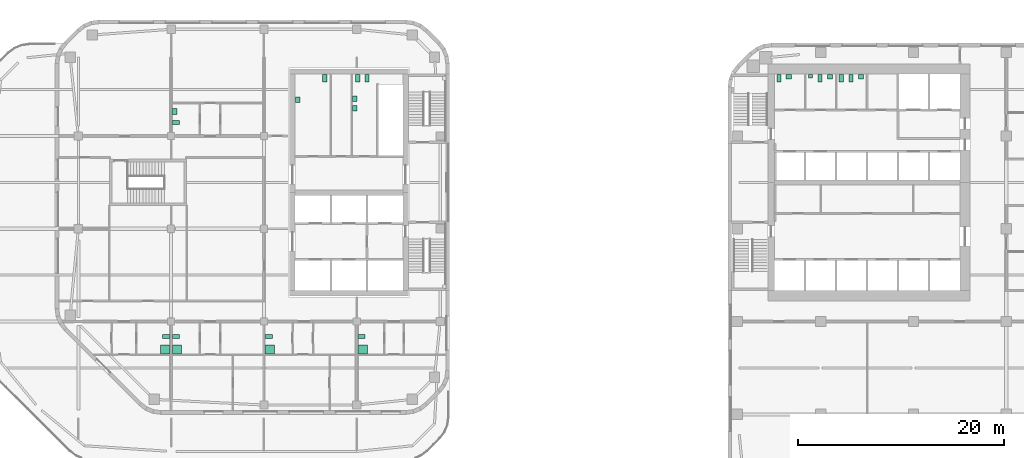
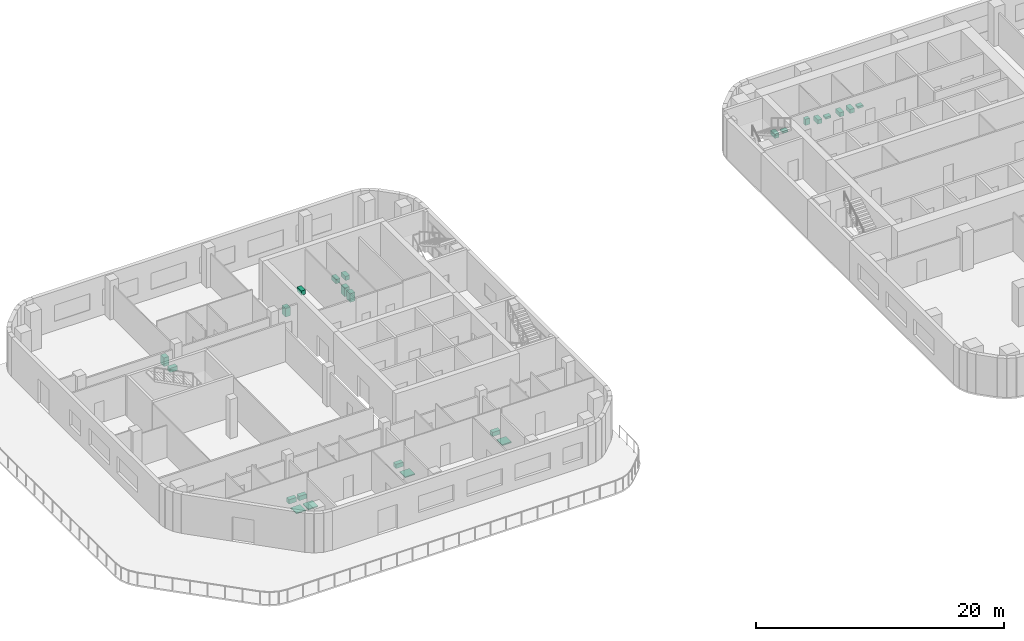
# One storey, part 15 of 15: 24 sanitary terminals.
"""IFC4 building model written with IfcOpenShell, lengths in metres."""

from ifc_helpers import new_model, si_unit, direction, frame, origin, origin_2d, place, context, subcontext, project, spatial, rectangle, extrude, material, type_object, element, save


model = new_model("IFC4")

# Units and contexts
model_context = context("Model", 3, precision=1e-05, world=origin(), true_north=direction((0.0, 1.0)))
body_context = subcontext(model_context, "Body", "Model", "MODEL_VIEW")
ifc_project = project(units=[si_unit("LENGTHUNIT", "METRE"), si_unit("AREAUNIT", "SQUARE_METRE"), si_unit("VOLUMEUNIT", "CUBIC_METRE"), si_unit("PLANEANGLEUNIT", "RADIAN"), si_unit("MASSUNIT", "GRAM", prefix="KILO")], contexts=[model_context])

# Site, building, storey
site_placement = place(None, origin())
site = spatial("IfcSite", under=ifc_project, at=site_placement, CompositionType="ELEMENT")
building_placement = place(site_placement, origin())
building = spatial("IfcBuilding", under=site, at=building_placement, Name="Cinnabar Reach Civic Tower", CompositionType="ELEMENT")
storey_placement = place(building_placement, frame((0.0, 0.0, 51.0)))
storey = spatial("IfcBuildingStorey", under=building, at=storey_placement, Name="L11", CompositionType="ELEMENT", Elevation=51.0)

# Sanitary terminals
ifc_material_1 = material(Name="Vitreous china")
sanitary_terminal_type_1 = type_object("IfcSanitaryTerminalType", Name="T1 WC pan", PredefinedType="TOILETPAN", material=ifc_material_1)
for number, where, z_axis, x_axis, name in (
    (1, (4.95, 41.6, 0.0), (0.0, 0.0, 1.0), (1.0, 0.0, 0.0), "T1 WC pan 1107-1"),
    (2, (8.95, 41.6, 0.0), (0.0, 0.0, 1.0), (1.0, 0.0, 0.0), "T1 WC pan 1108-2"),
    (3, (11.0, 41.6, 0.0), (0.0, 0.0, 1.0), (1.0, 0.0, 0.0), "T1 WC pan 1109-1"),
    (4, (11.95, 41.6, 0.0), (0.0, 0.0, 1.0), (1.0, 0.0, 0.0), "T1 WC pan 1109-2"),
):
    element("IfcSanitaryTerminal", number, at=place(storey_placement, frame(where, z_axis=z_axis, x_axis=x_axis)), inside=storey, type_object=sanitary_terminal_type_1, Name=name, PredefinedType="TOILETPAN", context=body_context, shape_type="SweptSolid", body=[
        extrude(rectangle(XDim=0.4, YDim=0.7, at=origin_2d()), origin(), (0.0, 0.0, 1.0), 0.4),
    ])
sanitary_terminal_type_2 = type_object("IfcSanitaryTerminalType", Name="T1 urinal", PredefinedType="URINAL", material=ifc_material_1)
sanitary_terminal_placement = place(storey_placement, frame((8.0, 41.775, 0.0), z_axis=(0.0, 0.0, 1.0), x_axis=(1.0, 0.0, 0.0)))
element("IfcSanitaryTerminal", 5, at=sanitary_terminal_placement, inside=storey, type_object=sanitary_terminal_type_2, Name="T1 urinal 1108-1", PredefinedType="URINAL", context=body_context, shape_type="SweptSolid", body=[
    extrude(rectangle(XDim=0.4, YDim=0.35, at=origin_2d()), origin(), (0.0, 0.0, 1.0), 0.6),
])
sanitary_terminal_type_3 = type_object("IfcSanitaryTerminalType", Name="T1 wash basin", PredefinedType="WASHHANDBASIN", material=ifc_material_1)
for number, where, z_axis, x_axis, name in (
    (6, (5.9, 41.74, 0.0), (0.0, 0.0, 1.0), (1.0, 0.0, 0.0), "T1 wash basin 1107-2"),
    (7, (9.9, 41.74, 0.0), (0.0, 0.0, 1.0), (1.0, 0.0, 0.0), "T1 wash basin 1108-3"),
    (8, (12.9, 41.74, 0.0), (0.0, 0.0, 1.0), (1.0, 0.0, 0.0), "T1 wash basin 1109-3"),
):
    element("IfcSanitaryTerminal", number, at=place(storey_placement, frame(where, z_axis=z_axis, x_axis=x_axis)), inside=storey, type_object=sanitary_terminal_type_3, Name=name, PredefinedType="WASHHANDBASIN", context=body_context, shape_type="SweptSolid", body=[
        extrude(rectangle(XDim=0.5, YDim=0.42, at=origin_2d()), origin(), (0.0, 0.0, 1.0), 0.2),
    ])
ifc_material_2 = material(Name="Acrylic tray")
sanitary_terminal_type_4 = type_object("IfcSanitaryTerminalType", Name="T2 Shower tray", PredefinedType="SHOWER", material=ifc_material_2)
for number, where, z_axis, x_axis, name in (
    (9, (-54.575, 15.3, 0.0), (0.0, 0.0, 1.0), (1.0, 0.0, 0.0), "Shower tray"),
    (10, (-53.425, 15.3, 0.0), (0.0, 0.0, 1.0), (1.0, 0.0, 0.0), "Shower tray"),
    (11, (-44.425, 15.3, 0.0), (0.0, 0.0, 1.0), (1.0, 0.0, 0.0), "Shower tray"),
    (12, (-35.425, 15.3, 0.0), (0.0, 0.0, 1.0), (1.0, 0.0, 0.0), "Shower tray"),
):
    element("IfcSanitaryTerminal", number, at=place(storey_placement, frame(where, z_axis=z_axis, x_axis=x_axis)), inside=storey, type_object=sanitary_terminal_type_4, Name=name, PredefinedType="SHOWER", context=body_context, shape_type="SweptSolid", body=[
        extrude(rectangle(XDim=0.9, YDim=0.9, at=origin_2d()), origin(), (0.0, 0.0, 1.0), 0.1),
    ])
sanitary_terminal_type_5 = type_object("IfcSanitaryTerminalType", Name="T2 WC pan", PredefinedType="TOILETPAN", material=ifc_material_1)
for number, where, z_axis, x_axis, name in (
    (13, (-39.1, 41.6, 0.0), (0.0, 0.0, 1.0), (1.0, 0.0, 0.0), "WC pan"),
    (14, (-35.9, 41.6, 0.0), (0.0, 0.0, 1.0), (1.0, 0.0, 0.0), "WC pan"),
    (15, (-35.0, 41.6, 0.0), (0.0, 0.0, 1.0), (1.0, 0.0, 0.0), "WC pan"),
):
    element("IfcSanitaryTerminal", number, at=place(storey_placement, frame(where, z_axis=z_axis, x_axis=x_axis)), inside=storey, type_object=sanitary_terminal_type_5, Name=name, PredefinedType="TOILETPAN", context=body_context, shape_type="SweptSolid", body=[
        extrude(rectangle(XDim=0.4, YDim=0.7, at=origin_2d()), origin(), (0.0, 0.0, 1.0), 0.42),
    ])
for number, where, z_axis, x_axis, name in (
    (16, (-54.475, 16.55, 0.0), (0.0, 0.0, 1.0), (1.0, 0.0, 0.0), "WC pan"),
    (17, (-53.525, 16.55, 0.0), (0.0, 0.0, 1.0), (1.0, 0.0, 0.0), "WC pan"),
    (18, (-44.525, 16.55, 0.0), (0.0, 0.0, 1.0), (1.0, 0.0, 0.0), "WC pan"),
    (19, (-35.525, 16.55, 0.0), (0.0, 0.0, 1.0), (1.0, 0.0, 0.0), "WC pan"),
    (20, (-53.55, 37.325, 0.0), (0.0, 0.0, 1.0), (1.0, 0.0, 0.0), "WC pan"),
):
    element("IfcSanitaryTerminal", number, at=place(storey_placement, frame(where, z_axis=z_axis, x_axis=x_axis)), inside=storey, type_object=sanitary_terminal_type_5, Name=name, PredefinedType="TOILETPAN", context=body_context, shape_type="SweptSolid", body=[
        extrude(rectangle(XDim=0.7, YDim=0.4, at=origin_2d()), origin(), (0.0, 0.0, 1.0), 0.42),
    ])
sanitary_terminal_type_6 = type_object("IfcSanitaryTerminalType", Name="T2 Wash basin", PredefinedType="WASHHANDBASIN", material=ifc_material_1)
for number, where, z_axis, x_axis, name in (
    (21, (-41.725, 39.5, 0.0), (0.0, 0.0, 1.0), (1.0, 0.0, 0.0), "Wash basin"),
    (22, (-36.175, 39.6, 0.0), (0.0, 0.0, 1.0), (1.0, 0.0, 0.0), "Wash basin"),
    (23, (-36.175, 38.7, 0.0), (0.0, 0.0, 1.0), (1.0, 0.0, 0.0), "Wash basin"),
    (24, (-53.675, 38.375, 0.0), (0.0, 0.0, 1.0), (1.0, 0.0, 0.0), "Wash basin"),
):
    element("IfcSanitaryTerminal", number, at=place(storey_placement, frame(where, z_axis=z_axis, x_axis=x_axis)), inside=storey, type_object=sanitary_terminal_type_6, Name=name, PredefinedType="WASHHANDBASIN", context=body_context, shape_type="SweptSolid", body=[
        extrude(rectangle(XDim=0.45, YDim=0.55, at=origin_2d()), origin(), (0.0, 0.0, 1.0), 0.85),
    ])

save(model, "model.ifc")
